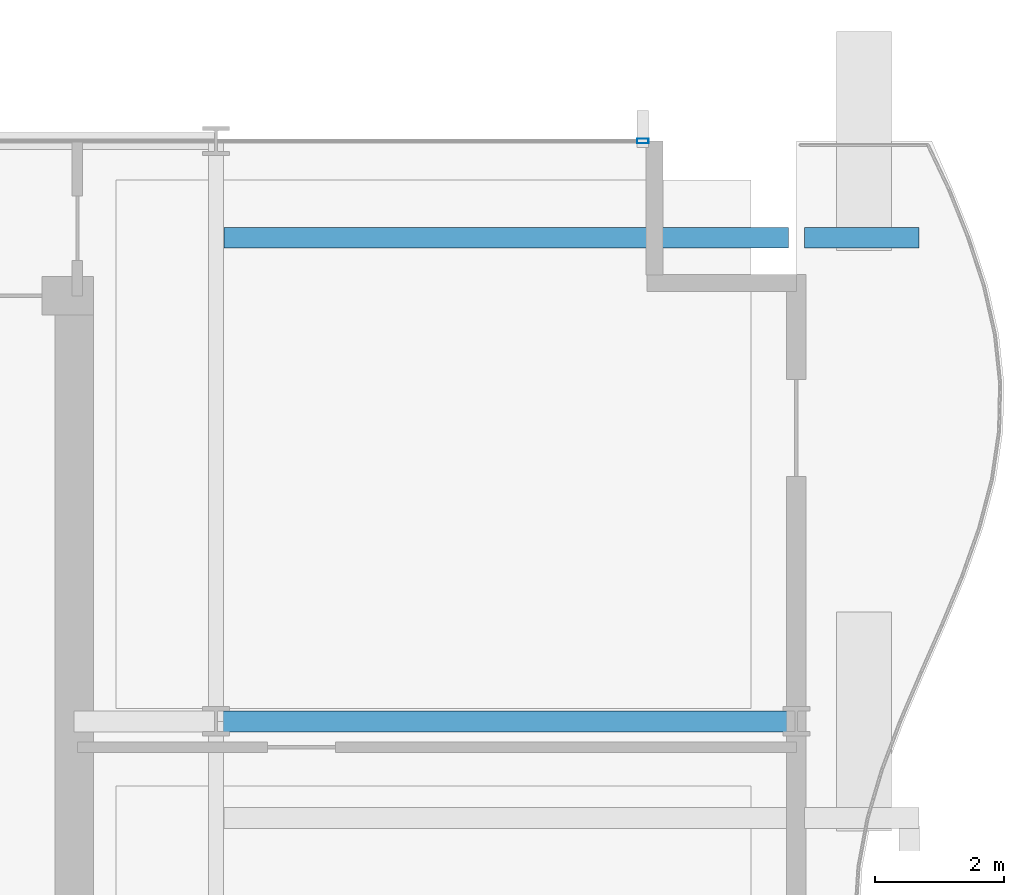
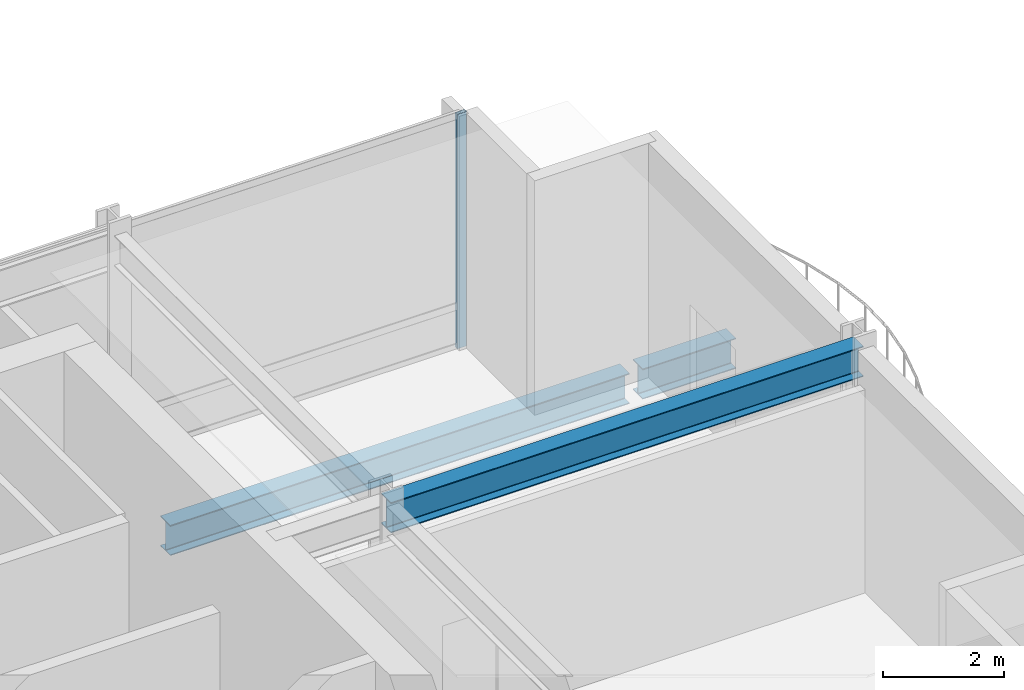
# One storey, part 14 of 33: 3 beams, 1 member, 1 element without a shape of its own.
"""IFC4 building model written with IfcOpenShell, lengths in metres."""

from ifc_helpers import new_model, si_unit, direction, frame, origin, origin_2d, place, context, subcontext, project, spatial, hollow_rectangle, i_section, extrude, material, layer, layer_set, material_profile, profile_set, type_object, element, aggregate, save


model = new_model("IFC4")

# Units and contexts
model_context = context("Model", 3, precision=1e-05, world=origin(), true_north=direction((0.0, 1.0)))
body_context = subcontext(model_context, "Body", "Model", "MODEL_VIEW")
ifc_project = project(units=[si_unit("LENGTHUNIT", "METRE"), si_unit("AREAUNIT", "SQUARE_METRE"), si_unit("VOLUMEUNIT", "CUBIC_METRE"), si_unit("PLANEANGLEUNIT", "RADIAN"), si_unit("MASSUNIT", "GRAM", prefix="KILO")], contexts=[model_context])

# Site, building, storey
site_placement = place(None, origin())
site = spatial("IfcSite", under=ifc_project, at=site_placement, CompositionType="ELEMENT")
building_placement = place(site_placement, origin())
building = spatial("IfcBuilding", under=site, at=building_placement, Name="Solvaryn Broadcast Tower", CompositionType="ELEMENT")
storey_placement = place(building_placement, frame((0.0, 0.0, 105.0)))
storey = spatial("IfcBuildingStorey", under=building, at=storey_placement, Name="L25", CompositionType="ELEMENT", Elevation=105.0)

# Beams
ifc_material_1 = material(Name="Steel ASTM A992 Grade 50", Category="steel")
ifc_material_profile_1 = material_profile(ifc_material_1, i_section(OverallWidth=0.323974609375, OverallDepth=0.611083984375, WebThickness=0.0126953125, FlangeThickness=0.01904296875, FilletRadius=0.014892578125, at=origin_2d()))
ifc_profile_set_1 = profile_set([ifc_material_profile_1], Name="Steel ASTM A992 Grade 50")
beam_type_1 = type_object("IfcBeamType", Name="BM-B1-W24X104", PredefinedType="BEAM", material=ifc_profile_set_1)
beam_1_placement = place(storey_placement, frame((45.125, 25.5, -0.635498046875), z_axis=(1.0, 0.0, 0.0), x_axis=(0.0, 1.0, 0.0)))
element("IfcBeam", 1, at=beam_1_placement, inside=storey, type_object=beam_type_1, Name="L25 East Terrace Back-Span Beam Y25.5", PredefinedType="BEAM", context=body_context, shape_type="SweptSolid", body=[
    extrude(i_section(OverallWidth=0.323974609375, OverallDepth=0.611083984375, WebThickness=0.0126953125, FlangeThickness=0.01904296875, FilletRadius=0.014892578125, at=origin_2d()), origin(), (0.0, 0.0, 1.0), 8.75),
])
beam_2_placement = place(storey_placement, frame((45.0, 18.0, 4.41455078125), z_axis=(1.0, 0.0, 0.0), x_axis=(0.0, 1.0, 0.0)))
element("IfcBeam", 2, at=beam_2_placement, inside=storey, type_object=beam_type_1, Name="L25 Primary Beam X (45-54 @ Y=18)", PredefinedType="BEAM", context=body_context, shape_type="SweptSolid", body=[
    extrude(i_section(OverallWidth=0.323974609375, OverallDepth=0.611083984375, WebThickness=0.0126953125, FlangeThickness=0.01904296875, FilletRadius=0.014892578125, at=origin_2d()), origin(), (0.0, 0.0, 1.0), 9.0),
])
ifc_material_2 = material(Name="Steel ASTM A992 Grade 50", Category="steel")
ifc_material_profile_2 = material_profile(ifc_material_2, i_section(OverallWidth=0.323974609375, OverallDepth=0.611083984375, WebThickness=0.0126953125, FlangeThickness=0.01904296875, FilletRadius=0.014892578125, at=origin_2d()))
ifc_profile_set_2 = profile_set([ifc_material_profile_2], Name="Steel ASTM A992 Grade 50")
beam_type_2 = type_object("IfcBeamType", Name="BM-CANT-TER", PredefinedType="BEAM", material=ifc_profile_set_2)
beam_3_placement = place(storey_placement, frame((54.125, 25.5, -0.635498046875), z_axis=(1.0, 0.0, 0.0), x_axis=(0.0, 1.0, 0.0)))
element("IfcBeam", 3, at=beam_3_placement, inside=storey, type_object=beam_type_2, Name="L25 East Terrace Cantilever Beam Y25.5", PredefinedType="BEAM", context=body_context, shape_type="SweptSolid", body=[
    extrude(i_section(OverallWidth=0.323974609375, OverallDepth=0.611083984375, WebThickness=0.0126953125, FlangeThickness=0.01904296875, FilletRadius=0.014892578125, at=origin_2d()), origin(), (0.0, 0.0, 1.0), 1.77490234375),
])

# Curtain wall, member
ifc_material_3 = material(Name="Aluminium and Terracotta Unitised Curtain Wall", Category="masonry")
ifc_layer = layer(ifc_material_3, 0.25)
ifc_layer_set = layer_set([ifc_layer], Name="CW-SYS4-SKYGARDEN")
curtain_wall_type = type_object("IfcCurtainWallType", Name="CW-SYS4-SKYGARDEN", PredefinedType="NOTDEFINED", material=ifc_layer_set)
curtain_wall_placement = place(storey_placement, origin())
curtain_wall = element("IfcCurtainWall", 4, at=curtain_wall_placement, inside=storey, type_object=curtain_wall_type, Name="L25 Curtain Wall IH", PredefinedType="NOTDEFINED")
ifc_material_4 = material(Name="Anodised Aluminium 6063-T6", Category="aluminium")
ifc_material_profile_3 = material_profile(ifc_material_4, hollow_rectangle(XDim=0.074951171875, YDim=0.179931640625, WallThickness=0.00390625, InnerFilletRadius=0.00390625, OuterFilletRadius=0.008056640625, at=origin_2d()))
ifc_profile_set_3 = profile_set([ifc_material_profile_3], Name="Anodised Aluminium 6063-T6")
member_type = type_object("IfcMemberType", Name="CW-MUL-180", PredefinedType="MULLION", material=ifc_profile_set_3)
member_placement = place(storey_placement, frame((51.6201171875, 27.0, 0.0), z_axis=(0.0, 0.0, 1.0), x_axis=(0.0, 1.0, 0.0)))
member = element("IfcMember", 5, at=member_placement, type_object=member_type, Name="CWS4 mullion 2", PredefinedType="MULLION", context=body_context, shape_type="SweptSolid", body=[
    extrude(hollow_rectangle(XDim=0.074951171875, YDim=0.179931640625, WallThickness=0.00390625, InnerFilletRadius=0.00390625, OuterFilletRadius=0.008056640625, at=origin_2d()), origin(), (0.0, 0.0, 1.0), 4.719970703125),
])
aggregate(curtain_wall, [member])

save(model, "model.ifc")
